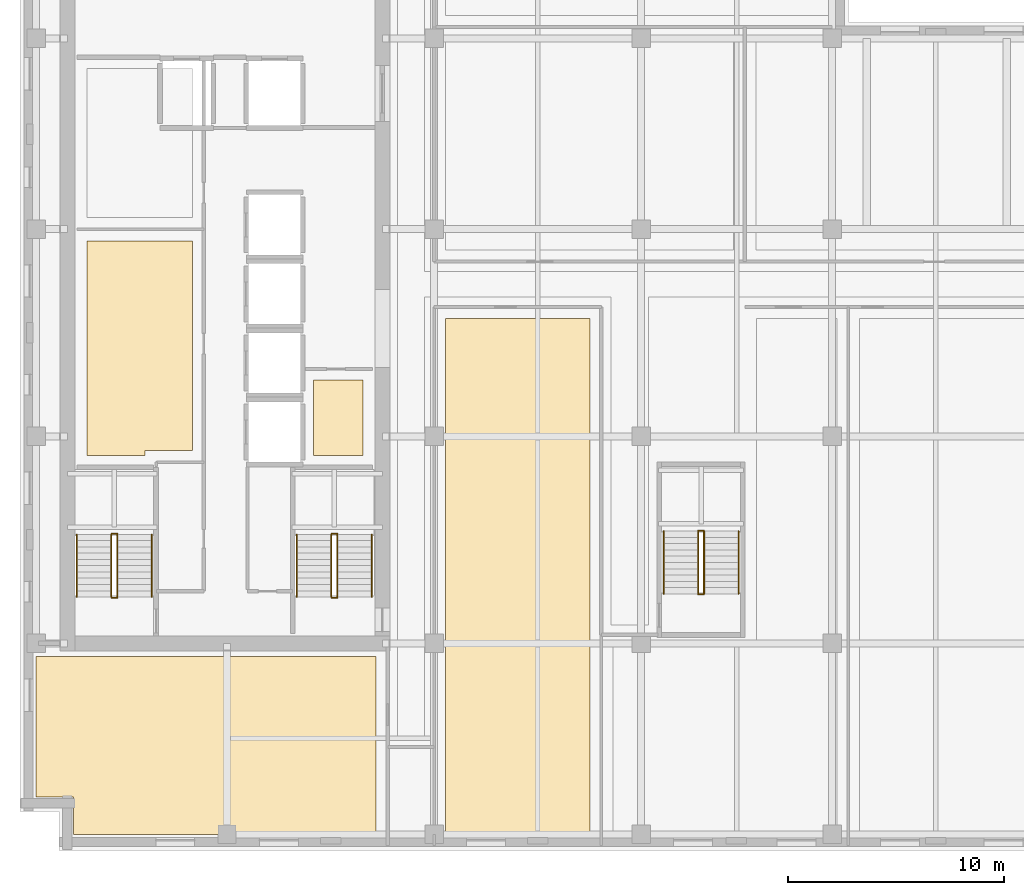
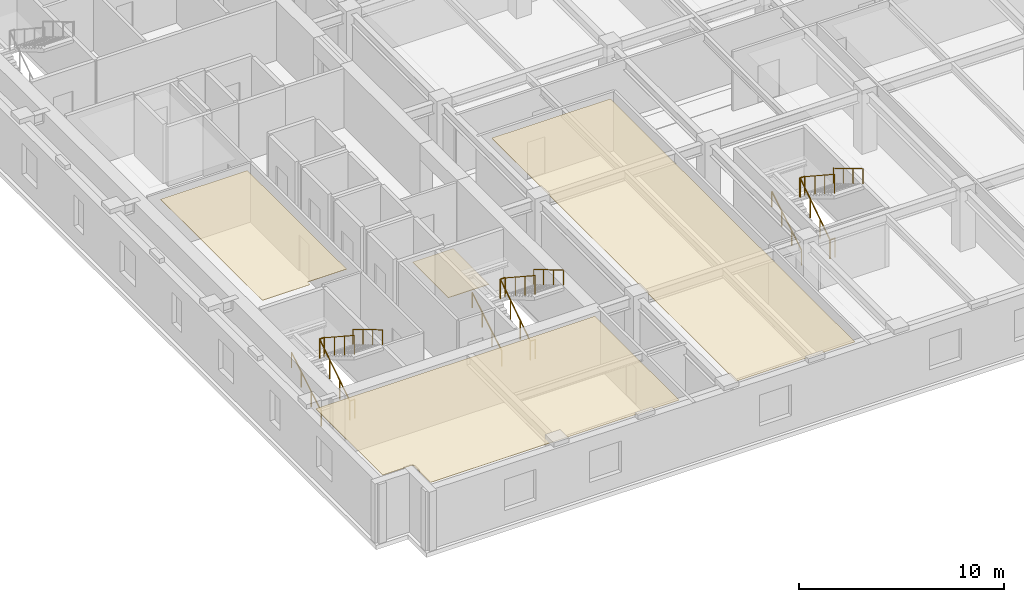
# One storey, part 10 of 14: 18 railings, 4 coverings.
"""IFC4 building model written with IfcOpenShell, lengths in metres."""

from ifc_helpers import new_model, si_unit, direction, frame, origin, origin_2d, place, context, subcontext, project, spatial, polyline, circle, outline, extrude, material, layer, layer_set, type_object, element, save


model = new_model("IFC4")

# Units and contexts
model_context = context("Model", 3, precision=1e-05, world=origin(), true_north=direction((0.0, 1.0)))
body_context = subcontext(model_context, "Body", "Model", "MODEL_VIEW")
ifc_project = project(units=[si_unit("LENGTHUNIT", "METRE"), si_unit("AREAUNIT", "SQUARE_METRE"), si_unit("VOLUMEUNIT", "CUBIC_METRE"), si_unit("PLANEANGLEUNIT", "RADIAN"), si_unit("MASSUNIT", "GRAM", prefix="KILO")], contexts=[model_context])

# Site, building, storey
site_placement = place(None, origin())
site = spatial("IfcSite", under=ifc_project, at=site_placement, CompositionType="ELEMENT")
building_placement = place(site_placement, origin())
building = spatial("IfcBuilding", under=site, at=building_placement, Name="Norrvale University Quadrangle", CompositionType="ELEMENT")
storey_placement = place(building_placement, frame((0.0, 0.0, 218.0)))
storey = spatial("IfcBuildingStorey", under=building, at=storey_placement, Name="L55", CompositionType="ELEMENT", Elevation=218.0)

# Coverings
ifc_material_1 = material(Name="Perforated Acoustic Mineral Ceiling")
ifc_layer_1 = layer(ifc_material_1, 0.02490234375, Name="Perforated Acoustic Mineral Ceiling")
ifc_layer_set_1 = layer_set([ifc_layer_1], Name="Perforated Acoustic Mineral Ceiling")
covering_type_1 = type_object("IfcCoveringType", Name="Covering Acoustic Ceiling 25", PredefinedType="CEILING", material=ifc_layer_set_1)
covering_1_placement = place(storey_placement, frame((0.0, 0.0, 3.514892578125)))
element("IfcCovering", 1, at=covering_1_placement, inside=storey, type_object=covering_type_1, Name="Acoustic Ceiling RM-L55-REC2", PredefinedType="CEILING", context=body_context, shape_type="SweptSolid", body=[
    extrude(outline(polyline([(3.10009765625, 18.300048828125), (3.10009765625, 28.25), (8.0, 28.25), (8.0, 18.550048828125), (5.800048828125, 18.550048828125), (5.800048828125, 18.300048828125), (3.10009765625, 18.300048828125)])), origin(), (0.0, 0.0, 1.0), 0.025146484375),
])
covering_2_placement = place(storey_placement, frame((0.0, 0.0, 3.514892578125)))
element("IfcCovering", 2, at=covering_2_placement, inside=storey, type_object=covering_type_1, Name="Acoustic Ceiling RM-L55-SW1", PredefinedType="CEILING", context=body_context, shape_type="SweptSolid", body=[
    extrude(outline(polyline([(0.75, 9.0), (16.5, 9.0), (16.5, 0.75), (2.469970703125, 0.75), (2.469970703125, 2.469970703125), (0.75, 2.469970703125), (0.75, 9.0)])), origin(), (0.0, 0.0, 1.0), 0.025146484375),
])
covering_3_placement = place(storey_placement, frame((0.0, 0.0, 3.514892578125)))
element("IfcCovering", 3, at=covering_3_placement, inside=storey, type_object=covering_type_1, Name="Acoustic Ceiling RM-L55-SE1", PredefinedType="CEILING", context=body_context, shape_type="SweptSolid", body=[
    extrude(outline(polyline([(19.72998046875, 24.669921875), (26.419921875, 24.669921875), (26.419921875, 0.75), (19.72998046875, 0.75), (19.72998046875, 24.669921875)])), origin(), (0.0, 0.0, 1.0), 0.025146484375),
])
ifc_material_2 = material(Name="Polished Terrazzo Flooring")
ifc_layer_2 = layer(ifc_material_2, 0.02490234375, Name="Polished Terrazzo Flooring")
ifc_layer_set_2 = layer_set([ifc_layer_2], Name="Polished Terrazzo Flooring")
covering_type_2 = type_object("IfcCoveringType", Name="Covering Terrazzo Floor 30", PredefinedType="FLOORING", material=ifc_layer_set_2)
covering_4_placement = place(storey_placement, origin())
element("IfcCovering", 4, at=covering_4_placement, inside=storey, type_object=covering_type_2, Name="Terrazzo Flooring RM-L55-JAN", PredefinedType="FLOORING", context=body_context, shape_type="SweptSolid", body=[
    extrude(outline(polyline([(13.60009765625, 18.300048828125), (13.60009765625, 21.800048828125), (15.89990234375, 21.800048828125), (15.89990234375, 18.300048828125), (13.60009765625, 18.300048828125)])), origin(), (0.0, 0.0, 1.0), 0.02490234375),
])

# Railings
ifc_material_3 = material(Name="Steel 350W Painted Balustrade", Category="steel")
railing_type_1 = type_object("IfcRailingType", Name="Railing Stair Guard 1100", PredefinedType="GUARDRAIL", material=ifc_material_3)
for number, where, name in (
    (5, (4.239990234375, 11.719970703125, 0.0), "Stair Floor Well Guard ST-01 L55"),
    (6, (4.239990234375, 14.679931640625, 1.89990234375), "Stair Mid-Landing Slot Guard ST-01 L55"),
):
    element("IfcRailing", number, at=place(storey_placement, frame(where)), inside=storey, type_object=railing_type_1, Name=name, PredefinedType="GUARDRAIL", context=body_context, shape_type="SweptSolid", body=[
        extrude(circle(Radius=0.02392578125, at=origin_2d()), frame((0.0, 0.0, 1.1259765625), z_axis=(1.0, 0.0, 0.0), x_axis=(0.0, 1.0, 0.0)), (0.0, 0.0, 1.0), 0.27001953125),
        extrude(circle(Radius=0.02099609375, at=origin_2d()), origin(), (0.0, 0.0, 1.0), 1.101806640625),
        extrude(circle(Radius=0.02099609375, at=origin_2d()), frame((0.27001953125, 0.0, 0.0)), (0.0, 0.0, 1.0), 1.101806640625),
    ])
railing_1_placement = place(storey_placement, frame((4.239990234375, 11.75, 0.0)))
element("IfcRailing", 7, at=railing_1_placement, inside=storey, type_object=railing_type_1, Name="Stair Lower Flight Inner Guard ST-01 L55", PredefinedType="GUARDRAIL", context=body_context, shape_type="SweptSolid", body=[
    extrude(circle(Radius=0.02392578125, at=origin_2d()), frame((0.0, 0.0, 1.1259765625), z_axis=(0.0, 0.836465582154, 0.548019461216), x_axis=(-1.0, 0.0, 0.0)), (0.0, 0.0, 1.0), 3.466796875),
    extrude(circle(Radius=0.02099609375, at=origin_2d()), origin(), (0.0, 0.0, 1.0), 1.101806640625),
    extrude(circle(Radius=0.02099609375, at=origin_2d()), frame((0.0, 0.966552734375, 0.63330078125)), (0.0, 0.0, 1.0), 1.101806640625),
    extrude(circle(Radius=0.02099609375, at=origin_2d()), frame((0.0, 1.933349609375, 1.2666015625)), (0.0, 0.0, 1.0), 1.101806640625),
    extrude(circle(Radius=0.02099609375, at=origin_2d()), frame((0.0, 2.89990234375, 1.89990234375)), (0.0, 0.0, 1.0), 1.101806640625),
])
railing_2_placement = place(storey_placement, frame((4.510009765625, 14.64990234375, 1.89990234375)))
element("IfcRailing", 8, at=railing_2_placement, inside=storey, type_object=railing_type_1, Name="Stair Upper Flight Inner Guard ST-01 L55", PredefinedType="GUARDRAIL", context=body_context, shape_type="SweptSolid", body=[
    extrude(circle(Radius=0.02392578125, at=origin_2d()), frame((0.0, 0.0, 1.1259765625), z_axis=(0.0, -0.836433300813, 0.548068730445), x_axis=(1.0, 0.0, 0.0)), (0.0, 0.0, 1.0), 3.467041015625),
    extrude(circle(Radius=0.02099609375, at=origin_2d()), origin(), (0.0, 0.0, 1.0), 1.101806640625),
    extrude(circle(Radius=0.02099609375, at=origin_2d()), frame((0.0, -0.966552734375, 0.63330078125)), (0.0, 0.0, 1.0), 1.101806640625),
    extrude(circle(Radius=0.02099609375, at=origin_2d()), frame((0.0, -1.933349609375, 1.266845703125)), (0.0, 0.0, 1.0), 1.101806640625),
    extrude(circle(Radius=0.02099609375, at=origin_2d()), frame((0.0, -2.89990234375, 1.900146484375)), (0.0, 0.0, 1.0), 1.101806640625),
])
for number, where, name in (
    (9, (14.43994140625, 11.719970703125, 0.0), "Stair Floor Well Guard ST-03 L55"),
    (10, (14.43994140625, 14.679931640625, 1.89990234375), "Stair Mid-Landing Slot Guard ST-03 L55"),
):
    element("IfcRailing", number, at=place(storey_placement, frame(where)), inside=storey, type_object=railing_type_1, Name=name, PredefinedType="GUARDRAIL", context=body_context, shape_type="SweptSolid", body=[
        extrude(circle(Radius=0.02392578125, at=origin_2d()), frame((0.0, 0.0, 1.1259765625), z_axis=(1.0, 0.0, 0.0), x_axis=(0.0, 1.0, 0.0)), (0.0, 0.0, 1.0), 0.27001953125),
        extrude(circle(Radius=0.02099609375, at=origin_2d()), origin(), (0.0, 0.0, 1.0), 1.101806640625),
        extrude(circle(Radius=0.02099609375, at=origin_2d()), frame((0.27001953125, 0.0, 0.0)), (0.0, 0.0, 1.0), 1.101806640625),
    ])
railing_3_placement = place(storey_placement, frame((14.43994140625, 11.75, 0.0)))
element("IfcRailing", 11, at=railing_3_placement, inside=storey, type_object=railing_type_1, Name="Stair Lower Flight Inner Guard ST-03 L55", PredefinedType="GUARDRAIL", context=body_context, shape_type="SweptSolid", body=[
    extrude(circle(Radius=0.02392578125, at=origin_2d()), frame((0.0, 0.0, 1.1259765625), z_axis=(0.0, 0.836465582154, 0.548019461216), x_axis=(-1.0, 0.0, 0.0)), (0.0, 0.0, 1.0), 3.466796875),
    extrude(circle(Radius=0.02099609375, at=origin_2d()), origin(), (0.0, 0.0, 1.0), 1.101806640625),
    extrude(circle(Radius=0.02099609375, at=origin_2d()), frame((0.0, 0.966552734375, 0.63330078125)), (0.0, 0.0, 1.0), 1.101806640625),
    extrude(circle(Radius=0.02099609375, at=origin_2d()), frame((0.0, 1.933349609375, 1.2666015625)), (0.0, 0.0, 1.0), 1.101806640625),
    extrude(circle(Radius=0.02099609375, at=origin_2d()), frame((0.0, 2.89990234375, 1.89990234375)), (0.0, 0.0, 1.0), 1.101806640625),
])
railing_4_placement = place(storey_placement, frame((14.7099609375, 14.64990234375, 1.89990234375)))
element("IfcRailing", 12, at=railing_4_placement, inside=storey, type_object=railing_type_1, Name="Stair Upper Flight Inner Guard ST-03 L55", PredefinedType="GUARDRAIL", context=body_context, shape_type="SweptSolid", body=[
    extrude(circle(Radius=0.02392578125, at=origin_2d()), frame((0.0, 0.0, 1.1259765625), z_axis=(0.0, -0.836433300813, 0.548068730445), x_axis=(1.0, 0.0, 0.0)), (0.0, 0.0, 1.0), 3.467041015625),
    extrude(circle(Radius=0.02099609375, at=origin_2d()), origin(), (0.0, 0.0, 1.0), 1.101806640625),
    extrude(circle(Radius=0.02099609375, at=origin_2d()), frame((0.0, -0.966552734375, 0.63330078125)), (0.0, 0.0, 1.0), 1.101806640625),
    extrude(circle(Radius=0.02099609375, at=origin_2d()), frame((0.0, -1.933349609375, 1.266845703125)), (0.0, 0.0, 1.0), 1.101806640625),
    extrude(circle(Radius=0.02099609375, at=origin_2d()), frame((0.0, -2.89990234375, 1.900146484375)), (0.0, 0.0, 1.0), 1.101806640625),
])
for number, where, name in (
    (13, (31.43994140625, 11.8701171875, 0.0), "Stair Floor Well Guard ST-04 L55"),
    (14, (31.43994140625, 14.830078125, 1.89990234375), "Stair Mid-Landing Slot Guard ST-04 L55"),
):
    element("IfcRailing", number, at=place(storey_placement, frame(where)), inside=storey, type_object=railing_type_1, Name=name, PredefinedType="GUARDRAIL", context=body_context, shape_type="SweptSolid", body=[
        extrude(circle(Radius=0.02392578125, at=origin_2d()), frame((0.0, 0.0, 1.1259765625), z_axis=(1.0, 0.0, 0.0), x_axis=(0.0, 1.0, 0.0)), (0.0, 0.0, 1.0), 0.27001953125),
        extrude(circle(Radius=0.02099609375, at=origin_2d()), origin(), (0.0, 0.0, 1.0), 1.101806640625),
        extrude(circle(Radius=0.02099609375, at=origin_2d()), frame((0.27001953125, 0.0, 0.0)), (0.0, 0.0, 1.0), 1.101806640625),
    ])
railing_5_placement = place(storey_placement, frame((31.43994140625, 11.89990234375, 0.0)))
element("IfcRailing", 15, at=railing_5_placement, inside=storey, type_object=railing_type_1, Name="Stair Lower Flight Inner Guard ST-04 L55", PredefinedType="GUARDRAIL", context=body_context, shape_type="SweptSolid", body=[
    extrude(circle(Radius=0.02392578125, at=origin_2d()), frame((0.0, 0.0, 1.1259765625), z_axis=(0.0, 0.836486729621, 0.547987181573), x_axis=(-1.0, 0.0, 0.0)), (0.0, 0.0, 1.0), 3.467041015625),
    extrude(circle(Radius=0.02099609375, at=origin_2d()), origin(), (0.0, 0.0, 1.0), 1.101806640625),
    extrude(circle(Radius=0.02099609375, at=origin_2d()), frame((0.0, 0.966796875, 0.63330078125)), (0.0, 0.0, 1.0), 1.101806640625),
    extrude(circle(Radius=0.02099609375, at=origin_2d()), frame((0.0, 1.933349609375, 1.2666015625)), (0.0, 0.0, 1.0), 1.101806640625),
    extrude(circle(Radius=0.02099609375, at=origin_2d()), frame((0.0, 2.900146484375, 1.89990234375)), (0.0, 0.0, 1.0), 1.101806640625),
])
railing_6_placement = place(storey_placement, frame((31.7099609375, 14.800048828125, 1.89990234375)))
element("IfcRailing", 16, at=railing_6_placement, inside=storey, type_object=railing_type_1, Name="Stair Upper Flight Inner Guard ST-04 L55", PredefinedType="GUARDRAIL", context=body_context, shape_type="SweptSolid", body=[
    extrude(circle(Radius=0.02392578125, at=origin_2d()), frame((0.0, 0.0, 1.1259765625), z_axis=(0.0, -0.836454451266, 0.548036450392), x_axis=(1.0, 0.0, 0.0)), (0.0, 0.0, 1.0), 3.46728515625),
    extrude(circle(Radius=0.02099609375, at=origin_2d()), origin(), (0.0, 0.0, 1.0), 1.101806640625),
    extrude(circle(Radius=0.02099609375, at=origin_2d()), frame((0.0, -0.966796875, 0.63330078125)), (0.0, 0.0, 1.0), 1.101806640625),
    extrude(circle(Radius=0.02099609375, at=origin_2d()), frame((0.0, -1.933349609375, 1.266845703125)), (0.0, 0.0, 1.0), 1.101806640625),
    extrude(circle(Radius=0.02099609375, at=origin_2d()), frame((0.0, -2.900146484375, 1.900146484375)), (0.0, 0.0, 1.0), 1.101806640625),
])
ifc_material_4 = material(Name="Stainless Steel 316L Handrail", Category="steel")
railing_type_2 = type_object("IfcRailingType", Name="Railing Stair Handrail 920", PredefinedType="HANDRAIL", material=ifc_material_4)
railing_7_placement = place(storey_placement, frame((2.639892578125, 11.75, 0.172607421875)))
element("IfcRailing", 17, at=railing_7_placement, inside=storey, type_object=railing_type_2, Name="Stair Lower Flight Handrail ST-01 L55", PredefinedType="HANDRAIL", context=body_context, shape_type="SweptSolid", body=[
    extrude(circle(Radius=0.02392578125, at=origin_2d()), frame((0.0, 0.0, 0.89599609375), z_axis=(0.0, 0.859141464434, 0.511738159696), x_axis=(-1.0, 0.0, 0.0)), (0.0, 0.0, 1.0), 3.375244140625),
    extrude(circle(Radius=0.02099609375, at=origin_2d()), origin(), (0.0, 0.0, 1.0), 0.871826171875),
    extrude(circle(Radius=0.02099609375, at=origin_2d()), frame((0.0, 0.966552734375, 0.57568359375)), (0.0, 0.0, 1.0), 0.871826171875),
    extrude(circle(Radius=0.02099609375, at=origin_2d()), frame((0.0, 1.933349609375, 1.151611328125)), (0.0, 0.0, 1.0), 0.871826171875),
    extrude(circle(Radius=0.02099609375, at=origin_2d()), frame((0.0, 2.89990234375, 1.727294921875)), (0.0, 0.0, 1.0), 0.871826171875),
])
railing_8_placement = place(storey_placement, frame((6.110107421875, 14.64990234375, 2.07275390625)))
element("IfcRailing", 18, at=railing_8_placement, inside=storey, type_object=railing_type_2, Name="Stair Upper Flight Handrail ST-01 L55", PredefinedType="HANDRAIL", context=body_context, shape_type="SweptSolid", body=[
    extrude(circle(Radius=0.02392578125, at=origin_2d()), frame((0.0, 0.0, 0.89599609375), z_axis=(0.0, -0.859141464434, 0.511738159696), x_axis=(1.0, 0.0, 0.0)), (0.0, 0.0, 1.0), 3.375244140625),
    extrude(circle(Radius=0.02099609375, at=origin_2d()), origin(), (0.0, 0.0, 1.0), 0.871826171875),
    extrude(circle(Radius=0.02099609375, at=origin_2d()), frame((0.0, -0.966552734375, 0.57568359375)), (0.0, 0.0, 1.0), 0.871826171875),
    extrude(circle(Radius=0.02099609375, at=origin_2d()), frame((0.0, -1.933349609375, 1.151611328125)), (0.0, 0.0, 1.0), 0.871826171875),
    extrude(circle(Radius=0.02099609375, at=origin_2d()), frame((0.0, -2.89990234375, 1.727294921875)), (0.0, 0.0, 1.0), 0.871826171875),
])
railing_9_placement = place(storey_placement, frame((12.840087890625, 11.75, 0.172607421875)))
element("IfcRailing", 19, at=railing_9_placement, inside=storey, type_object=railing_type_2, Name="Stair Lower Flight Handrail ST-03 L55", PredefinedType="HANDRAIL", context=body_context, shape_type="SweptSolid", body=[
    extrude(circle(Radius=0.02392578125, at=origin_2d()), frame((0.0, 0.0, 0.89599609375), z_axis=(0.0, 0.859141464434, 0.511738159696), x_axis=(-1.0, 0.0, 0.0)), (0.0, 0.0, 1.0), 3.375244140625),
    extrude(circle(Radius=0.02099609375, at=origin_2d()), origin(), (0.0, 0.0, 1.0), 0.871826171875),
    extrude(circle(Radius=0.02099609375, at=origin_2d()), frame((0.0, 0.966552734375, 0.57568359375)), (0.0, 0.0, 1.0), 0.871826171875),
    extrude(circle(Radius=0.02099609375, at=origin_2d()), frame((0.0, 1.933349609375, 1.151611328125)), (0.0, 0.0, 1.0), 0.871826171875),
    extrude(circle(Radius=0.02099609375, at=origin_2d()), frame((0.0, 2.89990234375, 1.727294921875)), (0.0, 0.0, 1.0), 0.871826171875),
])
railing_10_placement = place(storey_placement, frame((16.31005859375, 14.64990234375, 2.07275390625)))
element("IfcRailing", 20, at=railing_10_placement, inside=storey, type_object=railing_type_2, Name="Stair Upper Flight Handrail ST-03 L55", PredefinedType="HANDRAIL", context=body_context, shape_type="SweptSolid", body=[
    extrude(circle(Radius=0.02392578125, at=origin_2d()), frame((0.0, 0.0, 0.89599609375), z_axis=(0.0, -0.859141464434, 0.511738159696), x_axis=(1.0, 0.0, 0.0)), (0.0, 0.0, 1.0), 3.375244140625),
    extrude(circle(Radius=0.02099609375, at=origin_2d()), origin(), (0.0, 0.0, 1.0), 0.871826171875),
    extrude(circle(Radius=0.02099609375, at=origin_2d()), frame((0.0, -0.966552734375, 0.57568359375)), (0.0, 0.0, 1.0), 0.871826171875),
    extrude(circle(Radius=0.02099609375, at=origin_2d()), frame((0.0, -1.933349609375, 1.151611328125)), (0.0, 0.0, 1.0), 0.871826171875),
    extrude(circle(Radius=0.02099609375, at=origin_2d()), frame((0.0, -2.89990234375, 1.727294921875)), (0.0, 0.0, 1.0), 0.871826171875),
])
railing_11_placement = place(storey_placement, frame((29.840087890625, 11.89990234375, 0.172607421875)))
element("IfcRailing", 21, at=railing_11_placement, inside=storey, type_object=railing_type_2, Name="Stair Lower Flight Handrail ST-04 L55", PredefinedType="HANDRAIL", context=body_context, shape_type="SweptSolid", body=[
    extrude(circle(Radius=0.02392578125, at=origin_2d()), frame((0.0, 0.0, 0.89599609375), z_axis=(0.0, 0.859160404282, 0.51170636083), x_axis=(-1.0, 0.0, 0.0)), (0.0, 0.0, 1.0), 3.37548828125),
    extrude(circle(Radius=0.02099609375, at=origin_2d()), origin(), (0.0, 0.0, 1.0), 0.871826171875),
    extrude(circle(Radius=0.02099609375, at=origin_2d()), frame((0.0, 0.966796875, 0.57568359375)), (0.0, 0.0, 1.0), 0.871826171875),
    extrude(circle(Radius=0.02099609375, at=origin_2d()), frame((0.0, 1.933349609375, 1.151611328125)), (0.0, 0.0, 1.0), 0.871826171875),
    extrude(circle(Radius=0.02099609375, at=origin_2d()), frame((0.0, 2.900146484375, 1.727294921875)), (0.0, 0.0, 1.0), 0.871826171875),
])
railing_12_placement = place(storey_placement, frame((33.31005859375, 14.800048828125, 2.07275390625)))
element("IfcRailing", 22, at=railing_12_placement, inside=storey, type_object=railing_type_2, Name="Stair Upper Flight Handrail ST-04 L55", PredefinedType="HANDRAIL", context=body_context, shape_type="SweptSolid", body=[
    extrude(circle(Radius=0.02392578125, at=origin_2d()), frame((0.0, 0.0, 0.89599609375), z_axis=(0.0, -0.859160404282, 0.51170636083), x_axis=(1.0, 0.0, 0.0)), (0.0, 0.0, 1.0), 3.37548828125),
    extrude(circle(Radius=0.02099609375, at=origin_2d()), origin(), (0.0, 0.0, 1.0), 0.871826171875),
    extrude(circle(Radius=0.02099609375, at=origin_2d()), frame((0.0, -0.966796875, 0.57568359375)), (0.0, 0.0, 1.0), 0.871826171875),
    extrude(circle(Radius=0.02099609375, at=origin_2d()), frame((0.0, -1.933349609375, 1.151611328125)), (0.0, 0.0, 1.0), 0.871826171875),
    extrude(circle(Radius=0.02099609375, at=origin_2d()), frame((0.0, -2.900146484375, 1.727294921875)), (0.0, 0.0, 1.0), 0.871826171875),
])

save(model, "model.ifc")
